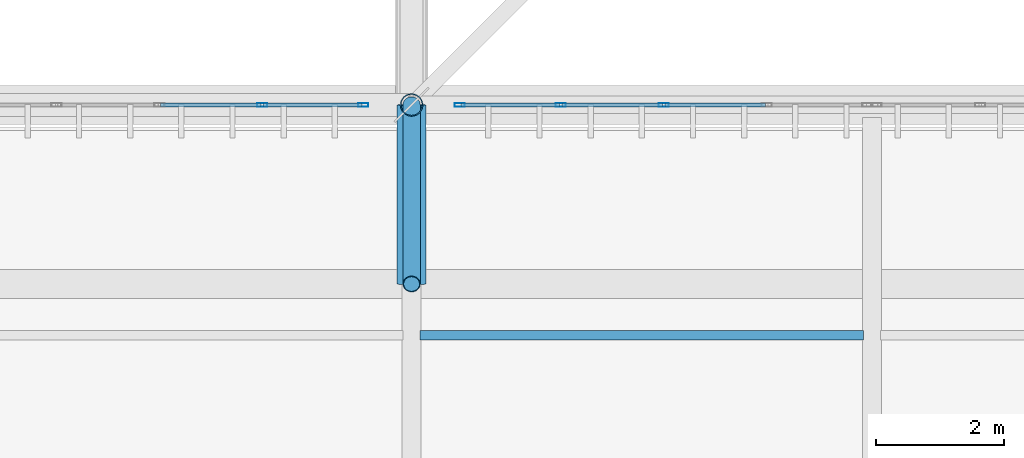
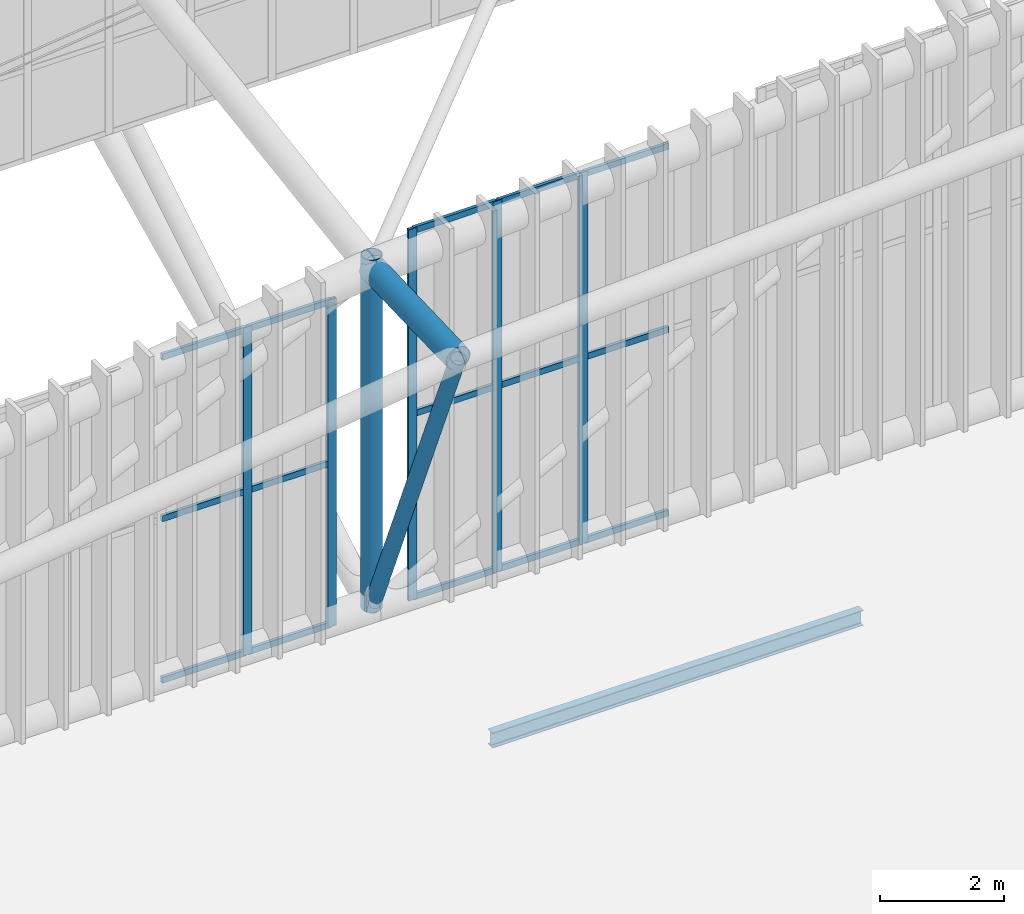
# One storey, part 22 of 397: 22 members, 2 beams, 2 elements without a shape of their own.
"""IFC4 building model written with IfcOpenShell, lengths in metres."""

from ifc_helpers import new_model, si_unit, direction, frame, origin, origin_2d, place, context, subcontext, project, spatial, hollow_rectangle, hollow_circle, i_section, extrude, material, material_profile, profile_set, type_object, element, aggregate, save


model = new_model("IFC4")

# Units and contexts
model_context = context("Model", 3, precision=1e-05, world=origin(), true_north=direction((0.0, 1.0)))
body_context = subcontext(model_context, "Body", "Model", "MODEL_VIEW")
ifc_project = project(units=[si_unit("LENGTHUNIT", "METRE"), si_unit("AREAUNIT", "SQUARE_METRE"), si_unit("VOLUMEUNIT", "CUBIC_METRE"), si_unit("PLANEANGLEUNIT", "RADIAN"), si_unit("MASSUNIT", "GRAM", prefix="KILO")], contexts=[model_context])

# Site, building, storey
site_placement = place(None, origin())
site = spatial("IfcSite", under=ifc_project, at=site_placement, CompositionType="ELEMENT")
building_placement = place(site_placement, origin())
building = spatial("IfcBuilding", under=site, at=building_placement, Name="Qandorah Velis Arena", CompositionType="ELEMENT")
storey_placement = place(building_placement, frame((0.0, 0.0, 27.5)))
storey = spatial("IfcBuildingStorey", under=building, at=storey_placement, Name="RF", CompositionType="ELEMENT", Elevation=27.5)

# Curtain wall, members
ifc_material_1 = material(Name="Solar-control low-E double glazing", Category="glass")
curtain_wall_type = type_object("IfcCurtainWallType", Name="ARC-CW-SYS19", PredefinedType="USERDEFINED", material=ifc_material_1)
curtain_wall_1_placement = place(storey_placement, origin())
curtain_wall_1 = element("IfcCurtainWall", 1, at=curtain_wall_1_placement, inside=storey, type_object=curtain_wall_type, Name="Unitised curtain wall CROWN-3-02S2", ObjectType="UNITISED CURTAIN WALL", PredefinedType="USERDEFINED")
ifc_material_2 = material(Name="Champagne-bronze anodized aluminium 6063-T6", Category="aluminium")
ifc_material_profile_1 = material_profile(ifc_material_2, hollow_rectangle(XDim=0.06005859375, YDim=0.159912109375, WallThickness=0.00341796875, at=origin_2d()), Name="ALU MULLION 60x160")
ifc_profile_set_1 = profile_set([ifc_material_profile_1], Name="Champagne-bronze anodized aluminium 6063-T6")
member_type_1 = type_object("IfcMemberType", Name="ARC-CWM-160", PredefinedType="MULLION", material=ifc_profile_set_1)
member_1_placement = place(storey_placement, frame((40.8662109375, 14.39990234375, -0.014892578125), z_axis=(0.0, 0.0, 1.0), x_axis=(0.0, 1.0, 0.0)))
member_1 = element("IfcMember", 2, at=member_1_placement, type_object=member_type_1, Name="CW19 mullion 4", PredefinedType="MULLION", context=body_context, shape_type="SweptSolid", body=[
    extrude(hollow_rectangle(XDim=0.06005859375, YDim=0.159912109375, WallThickness=0.00341796875, at=origin_2d()), origin(), (0.0, 0.0, 1.0), 6.469482421875),
])
member_2_placement = place(storey_placement, frame((42.445068359375, 14.39990234375, -0.014892578125), z_axis=(0.0, 0.0, 1.0), x_axis=(0.0, 1.0, 0.0)))
member_2 = element("IfcMember", 3, at=member_2_placement, type_object=member_type_1, Name="CW19 mullion 5", PredefinedType="MULLION", context=body_context, shape_type="SweptSolid", body=[
    extrude(hollow_rectangle(XDim=0.06005859375, YDim=0.159912109375, WallThickness=0.00341796875, at=origin_2d()), origin(), (0.0, 0.0, 1.0), 6.469482421875),
])

curtain_wall_2_placement = place(storey_placement, origin())
curtain_wall_2 = element("IfcCurtainWall", 4, at=curtain_wall_2_placement, inside=storey, type_object=curtain_wall_type, Name="Unitised curtain wall CROWN-3-03S1", ObjectType="UNITISED CURTAIN WALL", PredefinedType="USERDEFINED")
member_3_placement = place(storey_placement, frame((43.955078125, 14.39990234375, -0.014892578125), z_axis=(0.0, 0.0, 1.0), x_axis=(0.0, 1.0, 0.0)))
member_3 = element("IfcMember", 5, at=member_3_placement, type_object=member_type_1, Name="CW19 mullion 1", PredefinedType="MULLION", context=body_context, shape_type="SweptSolid", body=[
    extrude(hollow_rectangle(XDim=0.06005859375, YDim=0.159912109375, WallThickness=0.00341796875, at=origin_2d()), origin(), (0.0, 0.0, 1.0), 7.32958984375),
])
member_4_placement = place(storey_placement, frame((45.53369140625, 14.39990234375, -0.014892578125), z_axis=(0.0, 0.0, 1.0), x_axis=(0.0, 1.0, 0.0)))
member_4 = element("IfcMember", 6, at=member_4_placement, type_object=member_type_1, Name="CW19 mullion 2", PredefinedType="MULLION", context=body_context, shape_type="SweptSolid", body=[
    extrude(hollow_rectangle(XDim=0.06005859375, YDim=0.159912109375, WallThickness=0.00341796875, at=origin_2d()), origin(), (0.0, 0.0, 1.0), 7.32958984375),
])
member_5_placement = place(storey_placement, frame((47.142578125, 14.39990234375, -0.014892578125), z_axis=(0.0, 0.0, 1.0), x_axis=(0.0, 1.0, 0.0)))
member_5 = element("IfcMember", 7, at=member_5_placement, type_object=member_type_1, Name="CW19 mullion 3", PredefinedType="MULLION", context=body_context, shape_type="SweptSolid", body=[
    extrude(hollow_rectangle(XDim=0.06005859375, YDim=0.159912109375, WallThickness=0.00341796875, at=origin_2d()), origin(), (0.0, 0.0, 1.0), 7.32958984375),
])

# Member
ifc_material_profile_2 = material_profile(ifc_material_2, hollow_rectangle(XDim=0.06005859375, YDim=0.1201171875, WallThickness=0.0029296875, at=origin_2d()), Name="ALU TRANSOM 60x120")
ifc_profile_set_2 = profile_set([ifc_material_profile_2], Name="Champagne-bronze anodized aluminium 6063-T6")
member_type_2 = type_object("IfcMemberType", Name="ARC-CWT-120", PredefinedType="USERDEFINED", material=ifc_profile_set_2)
member_6_placement = place(storey_placement, frame((39.275390625, 14.39990234375, 0.030029296875), z_axis=(1.0, 0.0, 0.0), x_axis=(0.0, 1.0, 0.0)))
member_6 = element("IfcMember", 8, at=member_6_placement, type_object=member_type_2, Name="CW19 transom 3.1", ObjectType="TRANSOM", PredefinedType="USERDEFINED", context=body_context, shape_type="SweptSolid", body=[
    extrude(hollow_rectangle(XDim=0.06005859375, YDim=0.1201171875, WallThickness=0.0029296875, at=origin_2d()), origin(), (0.0, 0.0, 1.0), 1.572998046875),
])

member_7_placement = place(storey_placement, frame((39.275390625, 14.39990234375, 3.219970703125), z_axis=(1.0, 0.0, 0.0), x_axis=(0.0, 1.0, 0.0)))
member_7 = element("IfcMember", 9, at=member_7_placement, type_object=member_type_2, Name="CW19 transom 3.2", ObjectType="TRANSOM", PredefinedType="USERDEFINED", context=body_context, shape_type="SweptSolid", body=[
    extrude(hollow_rectangle(XDim=0.06005859375, YDim=0.1201171875, WallThickness=0.0029296875, at=origin_2d()), origin(), (0.0, 0.0, 1.0), 1.572998046875),
])

member_8_placement = place(storey_placement, frame((39.275390625, 14.39990234375, 6.40966796875), z_axis=(1.0, 0.0, 0.0), x_axis=(0.0, 1.0, 0.0)))
member_8 = element("IfcMember", 10, at=member_8_placement, type_object=member_type_2, Name="CW19 transom 3.3", ObjectType="TRANSOM", PredefinedType="USERDEFINED", context=body_context, shape_type="SweptSolid", body=[
    extrude(hollow_rectangle(XDim=0.06005859375, YDim=0.1201171875, WallThickness=0.0029296875, at=origin_2d()), origin(), (0.0, 0.0, 1.0), 1.572998046875),
])

member_9_placement = place(storey_placement, frame((40.88427734375, 14.39990234375, 0.030029296875), z_axis=(1.0, 0.0, 0.0), x_axis=(0.0, 1.0, 0.0)))
member_9 = element("IfcMember", 11, at=member_9_placement, type_object=member_type_2, Name="CW19 transom 4.1", ObjectType="TRANSOM", PredefinedType="USERDEFINED", context=body_context, shape_type="SweptSolid", body=[
    extrude(hollow_rectangle(XDim=0.06005859375, YDim=0.1201171875, WallThickness=0.0029296875, at=origin_2d()), origin(), (0.0, 0.0, 1.0), 1.542724609375),
])

member_10_placement = place(storey_placement, frame((40.88427734375, 14.39990234375, 3.219970703125), z_axis=(1.0, 0.0, 0.0), x_axis=(0.0, 1.0, 0.0)))
member_10 = element("IfcMember", 12, at=member_10_placement, type_object=member_type_2, Name="CW19 transom 4.2", ObjectType="TRANSOM", PredefinedType="USERDEFINED", context=body_context, shape_type="SweptSolid", body=[
    extrude(hollow_rectangle(XDim=0.06005859375, YDim=0.1201171875, WallThickness=0.0029296875, at=origin_2d()), origin(), (0.0, 0.0, 1.0), 1.542724609375),
])

member_11_placement = place(storey_placement, frame((40.88427734375, 14.39990234375, 6.40966796875), z_axis=(1.0, 0.0, 0.0), x_axis=(0.0, 1.0, 0.0)))
member_11 = element("IfcMember", 13, at=member_11_placement, type_object=member_type_2, Name="CW19 transom 4.3", ObjectType="TRANSOM", PredefinedType="USERDEFINED", context=body_context, shape_type="SweptSolid", body=[
    extrude(hollow_rectangle(XDim=0.06005859375, YDim=0.1201171875, WallThickness=0.0029296875, at=origin_2d()), origin(), (0.0, 0.0, 1.0), 1.542724609375),
])

aggregate(curtain_wall_1, [member_1, member_2, member_6, member_7, member_8, member_9, member_10, member_11])

member_12_placement = place(storey_placement, frame((43.972900390625, 14.39990234375, 0.030029296875), z_axis=(1.0, 0.0, 0.0), x_axis=(0.0, 1.0, 0.0)))
member_12 = element("IfcMember", 14, at=member_12_placement, type_object=member_type_2, Name="CW19 transom 1.1", ObjectType="TRANSOM", PredefinedType="USERDEFINED", context=body_context, shape_type="SweptSolid", body=[
    extrude(hollow_rectangle(XDim=0.06005859375, YDim=0.1201171875, WallThickness=0.0029296875, at=origin_2d()), origin(), (0.0, 0.0, 1.0), 1.542724609375),
])

member_13_placement = place(storey_placement, frame((43.972900390625, 14.39990234375, 3.64990234375), z_axis=(1.0, 0.0, 0.0), x_axis=(0.0, 1.0, 0.0)))
member_13 = element("IfcMember", 15, at=member_13_placement, type_object=member_type_2, Name="CW19 transom 1.2", ObjectType="TRANSOM", PredefinedType="USERDEFINED", context=body_context, shape_type="SweptSolid", body=[
    extrude(hollow_rectangle(XDim=0.06005859375, YDim=0.1201171875, WallThickness=0.0029296875, at=origin_2d()), origin(), (0.0, 0.0, 1.0), 1.542724609375),
])

member_14_placement = place(storey_placement, frame((43.972900390625, 14.39990234375, 7.269775390625), z_axis=(1.0, 0.0, 0.0), x_axis=(0.0, 1.0, 0.0)))
member_14 = element("IfcMember", 16, at=member_14_placement, type_object=member_type_2, Name="CW19 transom 1.3", ObjectType="TRANSOM", PredefinedType="USERDEFINED", context=body_context, shape_type="SweptSolid", body=[
    extrude(hollow_rectangle(XDim=0.06005859375, YDim=0.1201171875, WallThickness=0.0029296875, at=origin_2d()), origin(), (0.0, 0.0, 1.0), 1.542724609375),
])

member_15_placement = place(storey_placement, frame((45.5517578125, 14.39990234375, 0.030029296875), z_axis=(1.0, 0.0, 0.0), x_axis=(0.0, 1.0, 0.0)))
member_15 = element("IfcMember", 17, at=member_15_placement, type_object=member_type_2, Name="CW19 transom 2.1", ObjectType="TRANSOM", PredefinedType="USERDEFINED", context=body_context, shape_type="SweptSolid", body=[
    extrude(hollow_rectangle(XDim=0.06005859375, YDim=0.1201171875, WallThickness=0.0029296875, at=origin_2d()), origin(), (0.0, 0.0, 1.0), 1.57275390625),
])

member_16_placement = place(storey_placement, frame((45.5517578125, 14.39990234375, 3.64990234375), z_axis=(1.0, 0.0, 0.0), x_axis=(0.0, 1.0, 0.0)))
member_16 = element("IfcMember", 18, at=member_16_placement, type_object=member_type_2, Name="CW19 transom 2.2", ObjectType="TRANSOM", PredefinedType="USERDEFINED", context=body_context, shape_type="SweptSolid", body=[
    extrude(hollow_rectangle(XDim=0.06005859375, YDim=0.1201171875, WallThickness=0.0029296875, at=origin_2d()), origin(), (0.0, 0.0, 1.0), 1.57275390625),
])

member_17_placement = place(storey_placement, frame((45.5517578125, 14.39990234375, 7.269775390625), z_axis=(1.0, 0.0, 0.0), x_axis=(0.0, 1.0, 0.0)))
member_17 = element("IfcMember", 19, at=member_17_placement, type_object=member_type_2, Name="CW19 transom 2.3", ObjectType="TRANSOM", PredefinedType="USERDEFINED", context=body_context, shape_type="SweptSolid", body=[
    extrude(hollow_rectangle(XDim=0.06005859375, YDim=0.1201171875, WallThickness=0.0029296875, at=origin_2d()), origin(), (0.0, 0.0, 1.0), 1.57275390625),
])

member_18_placement = place(storey_placement, frame((47.160400390625, 14.39990234375, 0.030029296875), z_axis=(1.0, 0.0, 0.0), x_axis=(0.0, 1.0, 0.0)))
member_18 = element("IfcMember", 20, at=member_18_placement, type_object=member_type_2, Name="CW19 transom 3.1", ObjectType="TRANSOM", PredefinedType="USERDEFINED", context=body_context, shape_type="SweptSolid", body=[
    extrude(hollow_rectangle(XDim=0.06005859375, YDim=0.1201171875, WallThickness=0.0029296875, at=origin_2d()), origin(), (0.0, 0.0, 1.0), 1.57275390625),
])

member_19_placement = place(storey_placement, frame((47.160400390625, 14.39990234375, 3.64990234375), z_axis=(1.0, 0.0, 0.0), x_axis=(0.0, 1.0, 0.0)))
member_19 = element("IfcMember", 21, at=member_19_placement, type_object=member_type_2, Name="CW19 transom 3.2", ObjectType="TRANSOM", PredefinedType="USERDEFINED", context=body_context, shape_type="SweptSolid", body=[
    extrude(hollow_rectangle(XDim=0.06005859375, YDim=0.1201171875, WallThickness=0.0029296875, at=origin_2d()), origin(), (0.0, 0.0, 1.0), 1.57275390625),
])

member_20_placement = place(storey_placement, frame((47.160400390625, 14.39990234375, 7.269775390625), z_axis=(1.0, 0.0, 0.0), x_axis=(0.0, 1.0, 0.0)))
member_20 = element("IfcMember", 22, at=member_20_placement, type_object=member_type_2, Name="CW19 transom 3.3", ObjectType="TRANSOM", PredefinedType="USERDEFINED", context=body_context, shape_type="SweptSolid", body=[
    extrude(hollow_rectangle(XDim=0.06005859375, YDim=0.1201171875, WallThickness=0.0029296875, at=origin_2d()), origin(), (0.0, 0.0, 1.0), 1.57275390625),
])

aggregate(curtain_wall_2, [member_3, member_4, member_5, member_12, member_13, member_14, member_15, member_16, member_17, member_18, member_19, member_20])

# Beams
ifc_material_3 = material(Name="Steel S355", Category="steel")
ifc_material_profile_3 = material_profile(ifc_material_3, i_section(OverallWidth=0.14990234375, OverallDepth=0.300048828125, WebThickness=0.007080078125, FlangeThickness=0.0107421875, FilletRadius=0.014892578125, at=origin_2d()), Name="IPE 300")
ifc_profile_set_3 = profile_set([ifc_material_profile_3], Name="Steel S355")
beam_type_1 = type_object("IfcBeamType", Name="STR-JST-IPE300", PredefinedType="JOIST", material=ifc_profile_set_3)
beam_1_placement = place(storey_placement, frame((43.3349609375, 10.800048828125, -0.3701171875), z_axis=(1.0, 0.0, 0.0), x_axis=(0.0, 1.0, 0.0)))
element("IfcBeam", 23, at=beam_1_placement, inside=storey, type_object=beam_type_1, Name="Secondary floor joist RF-022", PredefinedType="JOIST", context=body_context, shape_type="SweptSolid", body=[
    extrude(i_section(OverallWidth=0.14990234375, OverallDepth=0.300048828125, WebThickness=0.007080078125, FlangeThickness=0.0107421875, FilletRadius=0.014892578125, at=origin_2d()), origin(), (0.0, 0.0, 1.0), 6.929931640625),
])
ifc_material_profile_4 = material_profile(ifc_material_3, hollow_circle(Radius=0.228515625, WallThickness=0.01611328125, at=origin_2d()), Name="CHS 457x16")
ifc_profile_set_4 = profile_set([ifc_material_profile_4], Name="Steel S355")
beam_type_2 = type_object("IfcBeamType", Name="STR-SFC-CHS457X16", PredefinedType="USERDEFINED", material=ifc_profile_set_4)
beam_2_placement = place(storey_placement, frame((43.199951171875, 14.39990234375, 6.79931640625), z_axis=(0.0, -0.999361521522, -0.035728830121), x_axis=(1.0, 0.0, 0.0)))
element("IfcBeam", 24, at=beam_2_placement, inside=storey, type_object=beam_type_2, Name="Space frame eave outrigger S-2", ObjectType="ROOF TRUSS", PredefinedType="USERDEFINED", context=body_context, shape_type="SweptSolid", body=[
    extrude(hollow_circle(Radius=0.228515625, WallThickness=0.01611328125, at=origin_2d()), origin(), (0.0, 0.0, 1.0), 2.801513671875),
])

# Members
ifc_material_profile_5 = material_profile(ifc_material_3, hollow_circle(Radius=0.136474609375, WallThickness=0.012451171875, at=origin_2d()), Name="CHS 273x12.5")
ifc_profile_set_5 = profile_set([ifc_material_profile_5], Name="Steel S355")
member_type_3 = type_object("IfcMemberType", Name="STR-SFD-CHS273X12", PredefinedType="STRUT", material=ifc_profile_set_5)
member_21_placement = place(storey_placement, frame((43.199951171875, 14.39990234375, 0.10009765625), z_axis=(0.0, -0.390570837806, 0.920572876342), x_axis=(1.0, 0.0, 0.0)))
element("IfcMember", 25, at=member_21_placement, inside=storey, type_object=member_type_3, Name="Space frame eave raking strut S-2", PredefinedType="STRUT", context=body_context, shape_type="SweptSolid", body=[
    extrude(hollow_circle(Radius=0.136474609375, WallThickness=0.012451171875, at=origin_2d()), origin(), (0.0, 0.0, 1.0), 7.16845703125),
])
ifc_material_profile_6 = material_profile(ifc_material_3, hollow_circle(Radius=0.177734375, WallThickness=0.01611328125, at=origin_2d()), Name="CHS 355.6x16")
ifc_profile_set_6 = profile_set([ifc_material_profile_6], Name="Steel S355")
member_type_4 = type_object("IfcMemberType", Name="STR-SFD-CHS355X16", PredefinedType="STRUT", material=ifc_profile_set_6)
member_22_placement = place(storey_placement, frame((43.199951171875, 14.39990234375, 0.10009765625), z_axis=(0.0, 0.0, 1.0), x_axis=(1.0, 0.0, 0.0)))
element("IfcMember", 26, at=member_22_placement, inside=storey, type_object=member_type_4, Name="Space frame roof vertical post 2.0", PredefinedType="STRUT", context=body_context, shape_type="SweptSolid", body=[
    extrude(hollow_circle(Radius=0.177734375, WallThickness=0.01611328125, at=origin_2d()), origin(), (0.0, 0.0, 1.0), 6.958984375),
])

save(model, "model.ifc")
